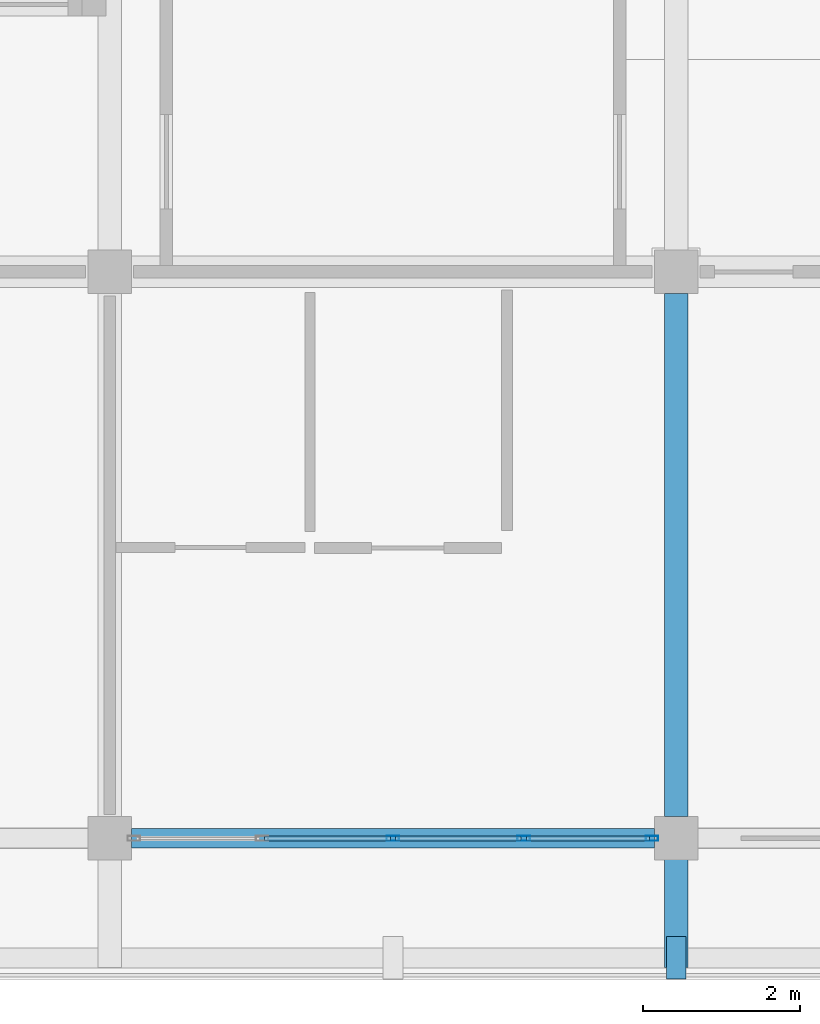
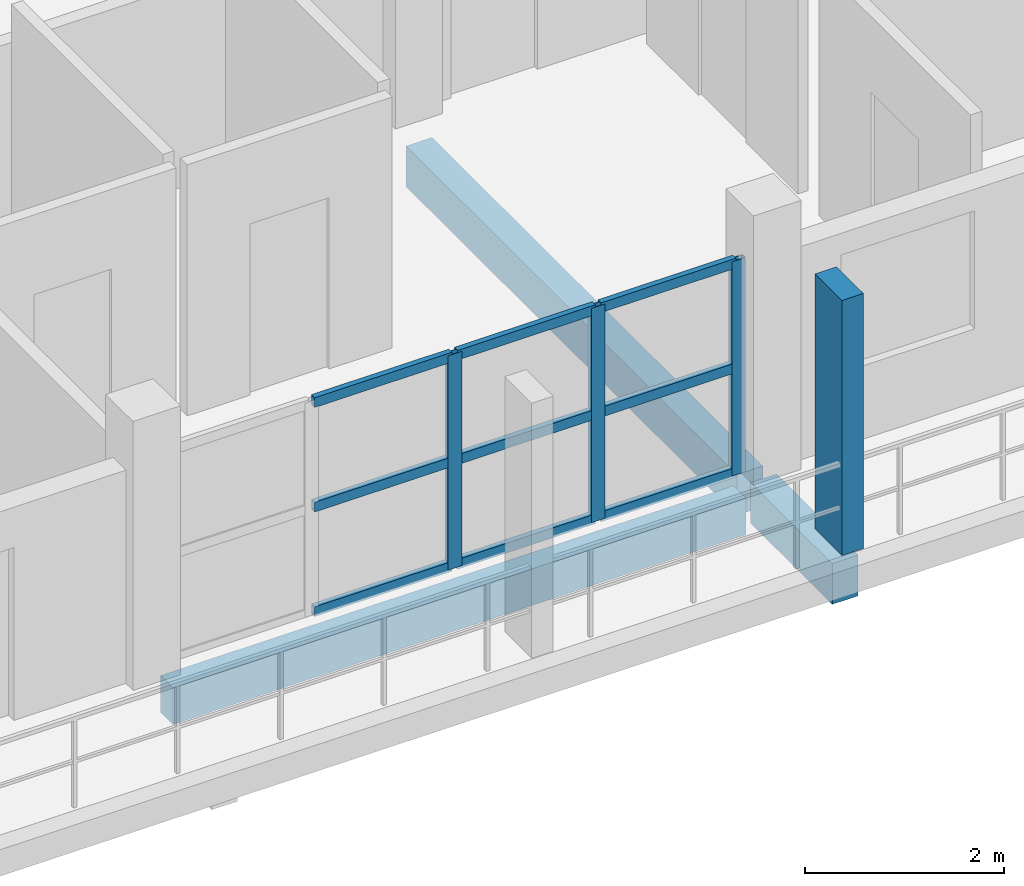
# One storey, part 20 of 60: 13 members, 3 beams, 1 element without a shape of its own.
"""IFC4 building model written with IfcOpenShell, lengths in metres."""

from ifc_helpers import new_model, si_unit, direction, frame, origin, origin_2d, place, context, subcontext, project, spatial, rectangle, hollow_rectangle, extrude, material, material_profile, profile_set, type_object, element, aggregate, save


model = new_model("IFC4")

# Units and contexts
model_context = context("Model", 3, precision=1e-05, world=origin(), true_north=direction((0.0, 1.0)))
body_context = subcontext(model_context, "Body", "Model", "MODEL_VIEW")
ifc_project = project(units=[si_unit("LENGTHUNIT", "METRE"), si_unit("AREAUNIT", "SQUARE_METRE"), si_unit("VOLUMEUNIT", "CUBIC_METRE"), si_unit("PLANEANGLEUNIT", "RADIAN"), si_unit("MASSUNIT", "GRAM", prefix="KILO")], contexts=[model_context])

# Site, building, storey
site_placement = place(None, origin())
site = spatial("IfcSite", under=ifc_project, at=site_placement, CompositionType="ELEMENT")
building_placement = place(site_placement, origin())
building = spatial("IfcBuilding", under=site, at=building_placement, Name="Suanplinth Sawtooth Commons", CompositionType="ELEMENT")
storey_placement = place(building_placement, frame((0.0, 0.0, 31.5)))
storey = spatial("IfcBuildingStorey", under=building, at=storey_placement, Name="L09", CompositionType="ELEMENT", Elevation=31.5)

# Beams
ifc_material_1 = material(Name="Precast concrete C40/50", Category="concrete")
ifc_material_profile_1 = material_profile(ifc_material_1, rectangle(XDim=0.300048828125, YDim=0.5, at=origin_2d()), Name="PC-BM 300x500")
ifc_profile_set_1 = profile_set([ifc_material_profile_1], Name="Precast concrete C40/50")
beam_type_1 = type_object("IfcBeamType", Name="B-07", PredefinedType="BEAM", material=ifc_profile_set_1)
beam_1_placement = place(storey_placement, frame((172.800048828125, 0.27490234375, -0.5), z_axis=(0.0, 1.0, 0.0), x_axis=(-1.0, 0.0, 0.0)))
element("IfcBeam", 1, at=beam_1_placement, inside=storey, type_object=beam_type_1, Name="BMY-L09-C-24-0", PredefinedType="BEAM", context=body_context, shape_type="SweptSolid", body=[
    extrude(rectangle(XDim=0.300048828125, YDim=0.5, at=origin_2d()), origin(), (0.0, 0.0, 1.0), 6.650146484375),
])
beam_2_placement = place(storey_placement, frame((172.800048828125, 0.0, -0.429931640625), z_axis=(0.0, -1.0, 0.0), x_axis=(1.0, 0.0, 0.0)))
element("IfcBeam", 2, at=beam_2_placement, inside=storey, type_object=beam_type_1, Name="Balcony Outrigger L09-C-S-24", PredefinedType="BEAM", context=body_context, shape_type="SweptSolid", body=[
    extrude(rectangle(XDim=0.300048828125, YDim=0.5, at=origin_2d()), origin(), (0.0, 0.0, 1.0), 1.639892578125),
])
ifc_material_profile_2 = material_profile(ifc_material_1, rectangle(XDim=0.25, YDim=0.449951171875, at=origin_2d()), Name="PC-SP 250x450")
ifc_profile_set_2 = profile_set([ifc_material_profile_2], Name="Precast concrete C40/50")
beam_type_2 = type_object("IfcBeamType", Name="B-09", PredefinedType="SPANDREL", material=ifc_profile_set_2)
beam_3_placement = place(storey_placement, frame((165.875, 0.0, -0.47509765625), z_axis=(1.0, 0.0, 0.0), x_axis=(0.0, 1.0, 0.0)))
element("IfcBeam", 3, at=beam_3_placement, inside=storey, type_object=beam_type_2, Name="BMX-L09-C-23-0", PredefinedType="SPANDREL", context=body_context, shape_type="SweptSolid", body=[
    extrude(rectangle(XDim=0.25, YDim=0.449951171875, at=origin_2d()), origin(), (0.0, 0.0, 1.0), 6.64990234375),
])

# Member
ifc_material_2 = material(Name="Pigmented precast concrete C40/50", Category="concrete")
ifc_material_profile_3 = material_profile(ifc_material_2, rectangle(XDim=0.25, YDim=0.5400390625, at=origin_2d()), Name="PC-FIN 250x540")
ifc_profile_set_3 = profile_set([ifc_material_profile_3], Name="Pigmented precast concrete C40/50")
member_type_1 = type_object("IfcMemberType", Name="M-11", PredefinedType="USERDEFINED", material=ifc_profile_set_3)
member_1_placement = place(storey_placement, frame((172.800048828125, -1.52001953125, 0.0), z_axis=(0.0, 0.0, 1.0), x_axis=(1.0, 0.0, 0.0)))
element("IfcMember", 4, at=member_1_placement, inside=storey, type_object=member_type_1, Name="Upright Solar Blade L09-C-S-07", ObjectType="SHADING FIN", PredefinedType="USERDEFINED", context=body_context, shape_type="SweptSolid", body=[
    extrude(rectangle(XDim=0.25, YDim=0.5400390625, at=origin_2d()), origin(), (0.0, 0.0, 1.0), 3.1298828125),
])

# Curtain wall, members
ifc_material_3 = material(Name="Anodized aluminium and low-E glazing", Category="aluminium")
curtain_wall_type = type_object("IfcCurtainWallType", Name="CW-06", PredefinedType="USERDEFINED", material=ifc_material_3)
curtain_wall_placement = place(storey_placement, origin())
curtain_wall = element("IfcCurtainWall", 5, at=curtain_wall_placement, inside=storey, type_object=curtain_wall_type, Name="Curtain Wall CW-L09-C-LOUNGE-23", ObjectType="CURTAIN WALL", PredefinedType="USERDEFINED")
ifc_material_4 = material(Name="Anodized aluminium 6063-T6", Category="aluminium")
ifc_material_profile_4 = material_profile(ifc_material_4, hollow_rectangle(XDim=0.06494140625, YDim=0.159912109375, WallThickness=0.00390625, at=origin_2d()), Name="ALU-MUL 65x160")
ifc_profile_set_4 = profile_set([ifc_material_profile_4], Name="Anodized aluminium 6063-T6")
member_type_2 = type_object("IfcMemberType", Name="M-13", PredefinedType="MULLION", material=ifc_profile_set_4)
member_2_placement = place(storey_placement, frame((169.199951171875, 0.0, 0.0), z_axis=(0.0, 0.0, 1.0), x_axis=(0.0, 1.0, 0.0)))
member_2 = element("IfcMember", 6, at=member_2_placement, type_object=member_type_2, Name="CW-06 mullion 3", PredefinedType="MULLION", context=body_context, shape_type="SweptSolid", body=[
    extrude(hollow_rectangle(XDim=0.06494140625, YDim=0.159912109375, WallThickness=0.00390625, at=origin_2d()), origin(), (0.0, 0.0, 1.0), 2.6298828125),
])
member_3_placement = place(storey_placement, frame((170.862548828125, 0.0, 0.0), z_axis=(0.0, 0.0, 1.0), x_axis=(0.0, 1.0, 0.0)))
member_3 = element("IfcMember", 7, at=member_3_placement, type_object=member_type_2, Name="CW-06 mullion 4", PredefinedType="MULLION", context=body_context, shape_type="SweptSolid", body=[
    extrude(hollow_rectangle(XDim=0.06494140625, YDim=0.159912109375, WallThickness=0.00390625, at=origin_2d()), origin(), (0.0, 0.0, 1.0), 2.6298828125),
])
member_4_placement = place(storey_placement, frame((172.492431640625, 0.0, 0.0), z_axis=(0.0, 0.0, 1.0), x_axis=(0.0, 1.0, 0.0)))
member_4 = element("IfcMember", 8, at=member_4_placement, type_object=member_type_2, Name="CW-06 mullion 5", PredefinedType="MULLION", context=body_context, shape_type="SweptSolid", body=[
    extrude(hollow_rectangle(XDim=0.06494140625, YDim=0.159912109375, WallThickness=0.00390625, at=origin_2d()), origin(), (0.0, 0.0, 1.0), 2.6298828125),
])
ifc_material_profile_5 = material_profile(ifc_material_4, hollow_rectangle(XDim=0.06494140625, YDim=0.1201171875, WallThickness=0.00390625, at=origin_2d()), Name="ALU-TRN 65x120")
ifc_profile_set_5 = profile_set([ifc_material_profile_5], Name="Anodized aluminium 6063-T6")
member_type_3 = type_object("IfcMemberType", Name="M-15", PredefinedType="USERDEFINED", material=ifc_profile_set_5)
member_5_placement = place(storey_placement, frame((167.570068359375, 0.0, 0.032470703125), z_axis=(1.0, 0.0, 0.0), x_axis=(0.0, 1.0, 0.0)))
member_5 = element("IfcMember", 9, at=member_5_placement, type_object=member_type_3, Name="CW-06 transom 2.1", ObjectType="TRANSOM", PredefinedType="USERDEFINED", context=body_context, shape_type="SweptSolid", body=[
    extrude(hollow_rectangle(XDim=0.06494140625, YDim=0.1201171875, WallThickness=0.00390625, at=origin_2d()), origin(), (0.0, 0.0, 1.0), 1.597412109375),
])
member_6_placement = place(storey_placement, frame((167.570068359375, 0.0, 1.31494140625), z_axis=(1.0, 0.0, 0.0), x_axis=(0.0, 1.0, 0.0)))
member_6 = element("IfcMember", 10, at=member_6_placement, type_object=member_type_3, Name="CW-06 transom 2.2", ObjectType="TRANSOM", PredefinedType="USERDEFINED", context=body_context, shape_type="SweptSolid", body=[
    extrude(hollow_rectangle(XDim=0.06494140625, YDim=0.1201171875, WallThickness=0.00390625, at=origin_2d()), origin(), (0.0, 0.0, 1.0), 1.597412109375),
])
member_7_placement = place(storey_placement, frame((167.570068359375, 0.0, 2.597412109375), z_axis=(1.0, 0.0, 0.0), x_axis=(0.0, 1.0, 0.0)))
member_7 = element("IfcMember", 11, at=member_7_placement, type_object=member_type_3, Name="CW-06 transom 2.3", ObjectType="TRANSOM", PredefinedType="USERDEFINED", context=body_context, shape_type="SweptSolid", body=[
    extrude(hollow_rectangle(XDim=0.06494140625, YDim=0.1201171875, WallThickness=0.00390625, at=origin_2d()), origin(), (0.0, 0.0, 1.0), 1.597412109375),
])
member_8_placement = place(storey_placement, frame((169.232421875, 0.0, 0.032470703125), z_axis=(1.0, 0.0, 0.0), x_axis=(0.0, 1.0, 0.0)))
member_8 = element("IfcMember", 12, at=member_8_placement, type_object=member_type_3, Name="CW-06 transom 3.1", ObjectType="TRANSOM", PredefinedType="USERDEFINED", context=body_context, shape_type="SweptSolid", body=[
    extrude(hollow_rectangle(XDim=0.06494140625, YDim=0.1201171875, WallThickness=0.00390625, at=origin_2d()), origin(), (0.0, 0.0, 1.0), 1.59765625),
])
member_9_placement = place(storey_placement, frame((169.232421875, 0.0, 1.31494140625), z_axis=(1.0, 0.0, 0.0), x_axis=(0.0, 1.0, 0.0)))
member_9 = element("IfcMember", 13, at=member_9_placement, type_object=member_type_3, Name="CW-06 transom 3.2", ObjectType="TRANSOM", PredefinedType="USERDEFINED", context=body_context, shape_type="SweptSolid", body=[
    extrude(hollow_rectangle(XDim=0.06494140625, YDim=0.1201171875, WallThickness=0.00390625, at=origin_2d()), origin(), (0.0, 0.0, 1.0), 1.59765625),
])
member_10_placement = place(storey_placement, frame((169.232421875, 0.0, 2.597412109375), z_axis=(1.0, 0.0, 0.0), x_axis=(0.0, 1.0, 0.0)))
member_10 = element("IfcMember", 14, at=member_10_placement, type_object=member_type_3, Name="CW-06 transom 3.3", ObjectType="TRANSOM", PredefinedType="USERDEFINED", context=body_context, shape_type="SweptSolid", body=[
    extrude(hollow_rectangle(XDim=0.06494140625, YDim=0.1201171875, WallThickness=0.00390625, at=origin_2d()), origin(), (0.0, 0.0, 1.0), 1.59765625),
])
member_11_placement = place(storey_placement, frame((170.89501953125, 0.0, 0.032470703125), z_axis=(1.0, 0.0, 0.0), x_axis=(0.0, 1.0, 0.0)))
member_11 = element("IfcMember", 15, at=member_11_placement, type_object=member_type_3, Name="CW-06 transom 4.1", ObjectType="TRANSOM", PredefinedType="USERDEFINED", context=body_context, shape_type="SweptSolid", body=[
    extrude(hollow_rectangle(XDim=0.06494140625, YDim=0.1201171875, WallThickness=0.00390625, at=origin_2d()), origin(), (0.0, 0.0, 1.0), 1.56494140625),
])
member_12_placement = place(storey_placement, frame((170.89501953125, 0.0, 1.31494140625), z_axis=(1.0, 0.0, 0.0), x_axis=(0.0, 1.0, 0.0)))
member_12 = element("IfcMember", 16, at=member_12_placement, type_object=member_type_3, Name="CW-06 transom 4.2", ObjectType="TRANSOM", PredefinedType="USERDEFINED", context=body_context, shape_type="SweptSolid", body=[
    extrude(hollow_rectangle(XDim=0.06494140625, YDim=0.1201171875, WallThickness=0.00390625, at=origin_2d()), origin(), (0.0, 0.0, 1.0), 1.56494140625),
])
member_13_placement = place(storey_placement, frame((170.89501953125, 0.0, 2.597412109375), z_axis=(1.0, 0.0, 0.0), x_axis=(0.0, 1.0, 0.0)))
member_13 = element("IfcMember", 17, at=member_13_placement, type_object=member_type_3, Name="CW-06 transom 4.3", ObjectType="TRANSOM", PredefinedType="USERDEFINED", context=body_context, shape_type="SweptSolid", body=[
    extrude(hollow_rectangle(XDim=0.06494140625, YDim=0.1201171875, WallThickness=0.00390625, at=origin_2d()), origin(), (0.0, 0.0, 1.0), 1.56494140625),
])
aggregate(curtain_wall, [member_2, member_3, member_4, member_5, member_6, member_7, member_8, member_9, member_10, member_11, member_12, member_13])

save(model, "model.ifc")
